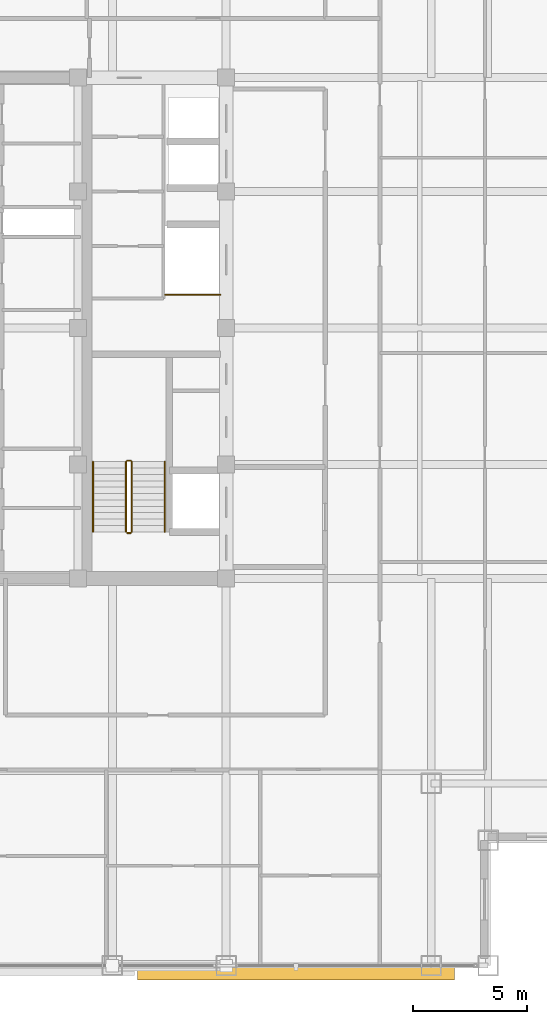
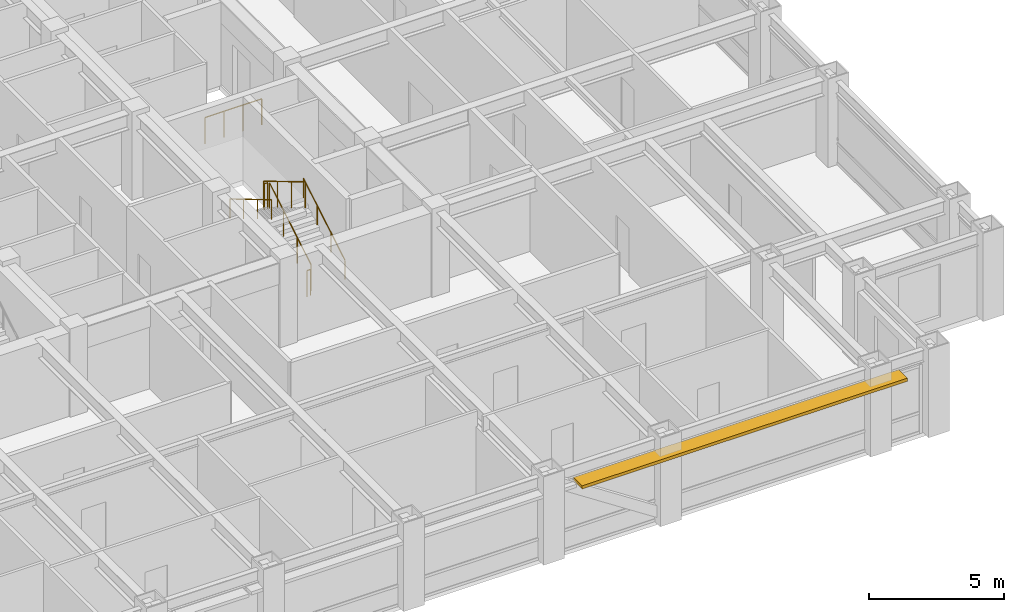
# One storey, part 25 of 27: 7 railings, 1 shading device.
"""IFC4 building model written with IfcOpenShell, lengths in metres."""

from ifc_helpers import new_model, si_unit, direction, frame, origin, origin_2d, place, context, subcontext, project, spatial, rectangle, circle, extrude, source, transform, mapped, material, layer, layer_set, type_object, element, save


model = new_model("IFC4")

# Units and contexts
model_context = context("Model", 3, precision=1e-05, world=origin(), true_north=direction((0.0, 1.0)))
body_context = subcontext(model_context, "Body", "Model", "MODEL_VIEW")
ifc_project = project(units=[si_unit("LENGTHUNIT", "METRE"), si_unit("AREAUNIT", "SQUARE_METRE"), si_unit("VOLUMEUNIT", "CUBIC_METRE"), si_unit("PLANEANGLEUNIT", "RADIAN"), si_unit("MASSUNIT", "GRAM", prefix="KILO")], contexts=[model_context])

# Site, building, storey
site_placement = place(None, origin())
site = spatial("IfcSite", under=ifc_project, at=site_placement, CompositionType="ELEMENT")
building_placement = place(site_placement, origin())
building = spatial("IfcBuilding", under=site, at=building_placement, Name="Khorayat Bourse Tower", CompositionType="ELEMENT")
storey_placement = place(building_placement, frame((0.0, 0.0, 285.5)))
storey = spatial("IfcBuildingStorey", under=building, at=storey_placement, Name="L67", CompositionType="ELEMENT", Elevation=285.5)

# Shading device
ifc_material_1 = material(Name="Precast concrete C45/55", Category="concrete")
ifc_layer = layer(ifc_material_1, 0.139892578125)
ifc_layer_set = layer_set([ifc_layer], Name="Precast concrete C45/55")
shading_device_type = type_object("IfcShadingDeviceType", Name="SHD-WAVE-TRAY-B", PredefinedType="USERDEFINED", material=ifc_layer_set)
shared_shape_1 = source(origin(), body_context, "Body", "SweptSolid", [
    extrude(rectangle(XDim=13.9267578125, YDim=0.65087890625, at=origin_2d()), origin(), (0.0, 0.0, 1.0), 0.139892578125),
])
shading_device_placement = place(storey_placement, frame((14.066650390625, -28.305419921875, 3.0302734375), z_axis=(0.0, 0.0, 1.0), x_axis=(1.0, 0.0, 0.0)))
element("IfcShadingDevice", 1, at=shading_device_placement, inside=storey, type_object=shading_device_type, Name="L67 Sinusoidal Wave Sunshade Tray S-3", ObjectType="SUNSHADE", PredefinedType="USERDEFINED", context=body_context, shape_type="MappedRepresentation", body=[
    mapped(shared_shape_1, transform((0.0, 0.0, 0.0), scale=1.0)),
])

# Railings
ifc_material_2 = material(Name="Powder-coated steel balustrade", Category="steel")
railing_type_1 = type_object("IfcRailingType", Name="RLG-GUARD-1200", PredefinedType="GUARDRAIL", material=ifc_material_2)
shared_shape_2 = source(origin(), body_context, "Body", "SweptSolid", [
    extrude(circle(Radius=0.02392578125, at=origin_2d()), frame((0.0, 0.0, 1.17578125), z_axis=(-1.0, 0.0, 0.0), x_axis=(0.0, -1.0, 0.0)), (0.0, 0.0, 1.0), 0.150146484375),
    extrude(circle(Radius=0.02099609375, at=origin_2d()), origin(), (0.0, 0.0, 1.0), 1.15185546875),
    extrude(circle(Radius=0.02099609375, at=origin_2d()), frame((-0.150146484375, 0.0, 0.0)), (0.0, 0.0, 1.0), 1.15185546875),
])
for number, where, name in (
    (2, (6.800048828125, -5.820068359375, 2.0), "L67 ST-3 stair guard 2"),
    (3, (6.800048828125, -9.0, 0.0), "L67 ST-3 stair guard 4"),
):
    element("IfcRailing", number, at=place(storey_placement, frame(where)), inside=storey, type_object=railing_type_1, Name=name, PredefinedType="GUARDRAIL", context=body_context, shape_type="MappedRepresentation", body=[
        mapped(shared_shape_2, transform((0.0, 0.0, 0.0), scale=1.0)),
    ])
shared_shape_3 = source(origin(), body_context, "Body", "SweptSolid", [
    extrude(circle(Radius=0.02392578125, at=origin_2d()), frame((0.0, 0.0, 1.17578125), z_axis=(0.0, 0.859290745958, 0.51148745235), x_axis=(-1.0, 0.0, 0.0)), (0.0, 0.0, 1.0), 3.584228515625),
    extrude(circle(Radius=0.02099609375, at=origin_2d()), origin(), (0.0, 0.0, 1.0), 1.15185546875),
    extrude(circle(Radius=0.02099609375, at=origin_2d()), frame((0.0, 1.026611328125, 0.611083984375)), (0.0, 0.0, 1.0), 1.15185546875),
    extrude(circle(Radius=0.02099609375, at=origin_2d()), frame((0.0, 2.05322265625, 1.22216796875)), (0.0, 0.0, 1.0), 1.15185546875),
    extrude(circle(Radius=0.02099609375, at=origin_2d()), frame((0.0, 3.079833984375, 1.833251953125)), (0.0, 0.0, 1.0), 1.15185546875),
])
railing_1_placement = place(storey_placement, frame((6.85009765625, -8.949951171875, 0.166748046875)))
element("IfcRailing", 4, at=railing_1_placement, inside=storey, type_object=railing_type_1, Name="L67 ST-3 stair guard 1", PredefinedType="GUARDRAIL", context=body_context, shape_type="MappedRepresentation", body=[
    mapped(shared_shape_3, transform((0.0, 0.0, 0.0), scale=1.0)),
])
shared_shape_4 = source(origin(), body_context, "Body", "SweptSolid", [
    extrude(circle(Radius=0.02392578125, at=origin_2d()), frame((0.0, 0.0, 1.17578125), z_axis=(0.0, -0.859290745958, 0.51148745235), x_axis=(1.0, 0.0, 0.0)), (0.0, 0.0, 1.0), 3.584228515625),
    extrude(circle(Radius=0.02099609375, at=origin_2d()), origin(), (0.0, 0.0, 1.0), 1.15185546875),
    extrude(circle(Radius=0.02099609375, at=origin_2d()), frame((0.0, -1.026611328125, 0.611083984375)), (0.0, 0.0, 1.0), 1.15185546875),
    extrude(circle(Radius=0.02099609375, at=origin_2d()), frame((0.0, -2.05322265625, 1.22216796875)), (0.0, 0.0, 1.0), 1.15185546875),
    extrude(circle(Radius=0.02099609375, at=origin_2d()), frame((0.0, -3.079833984375, 1.833251953125)), (0.0, 0.0, 1.0), 1.15185546875),
])
railing_2_placement = place(storey_placement, frame((6.60009765625, -5.8701171875, 2.166748046875)))
element("IfcRailing", 5, at=railing_2_placement, inside=storey, type_object=railing_type_1, Name="L67 ST-3 stair guard 3", PredefinedType="GUARDRAIL", context=body_context, shape_type="MappedRepresentation", body=[
    mapped(shared_shape_4, transform((0.0, 0.0, 0.0), scale=1.0)),
])
ifc_material_3 = material(Name="Brushed bronze stainless-steel handrail", Category="steel")
railing_type_2 = type_object("IfcRailingType", Name="RLG-HAND-900", PredefinedType="HANDRAIL", material=ifc_material_3)
shared_shape_5 = source(origin(), body_context, "Body", "SweptSolid", [
    extrude(circle(Radius=0.02392578125, at=origin_2d()), frame((0.0, 0.0, 0.8759765625), z_axis=(0.0, 0.859290745958, 0.51148745235), x_axis=(-1.0, 0.0, 0.0)), (0.0, 0.0, 1.0), 3.584228515625),
    extrude(circle(Radius=0.02099609375, at=origin_2d()), origin(), (0.0, 0.0, 1.0), 0.851806640625),
    extrude(circle(Radius=0.02099609375, at=origin_2d()), frame((0.0, 1.026611328125, 0.611083984375)), (0.0, 0.0, 1.0), 0.851806640625),
    extrude(circle(Radius=0.02099609375, at=origin_2d()), frame((0.0, 2.05322265625, 1.22216796875)), (0.0, 0.0, 1.0), 0.851806640625),
    extrude(circle(Radius=0.02099609375, at=origin_2d()), frame((0.0, 3.079833984375, 1.833251953125)), (0.0, 0.0, 1.0), 0.851806640625),
])
railing_3_placement = place(storey_placement, frame((8.300048828125, -8.949951171875, 0.166748046875)))
element("IfcRailing", 6, at=railing_3_placement, inside=storey, type_object=railing_type_2, Name="L67 ST-3 stair handrail 1", PredefinedType="HANDRAIL", context=body_context, shape_type="MappedRepresentation", body=[
    mapped(shared_shape_5, transform((0.0, 0.0, 0.0), scale=1.0)),
])
shared_shape_6 = source(origin(), body_context, "Body", "SweptSolid", [
    extrude(circle(Radius=0.02392578125, at=origin_2d()), frame((0.0, 0.0, 0.8759765625), z_axis=(0.0, -0.859290745958, 0.51148745235), x_axis=(1.0, 0.0, 0.0)), (0.0, 0.0, 1.0), 3.584228515625),
    extrude(circle(Radius=0.02099609375, at=origin_2d()), origin(), (0.0, 0.0, 1.0), 0.851806640625),
    extrude(circle(Radius=0.02099609375, at=origin_2d()), frame((0.0, -1.026611328125, 0.611083984375)), (0.0, 0.0, 1.0), 0.851806640625),
    extrude(circle(Radius=0.02099609375, at=origin_2d()), frame((0.0, -2.05322265625, 1.22216796875)), (0.0, 0.0, 1.0), 0.851806640625),
    extrude(circle(Radius=0.02099609375, at=origin_2d()), frame((0.0, -3.079833984375, 1.833251953125)), (0.0, 0.0, 1.0), 0.851806640625),
])
railing_4_placement = place(storey_placement, frame((5.14990234375, -5.8701171875, 2.166748046875)))
element("IfcRailing", 7, at=railing_4_placement, inside=storey, type_object=railing_type_2, Name="L67 ST-3 stair handrail 2", PredefinedType="HANDRAIL", context=body_context, shape_type="MappedRepresentation", body=[
    mapped(shared_shape_6, transform((0.0, 0.0, 0.0), scale=1.0)),
])
shared_shape_7 = source(origin(), body_context, "Body", "SweptSolid", [
    extrude(circle(Radius=0.02392578125, at=origin_2d()), frame((0.0, 0.0, 1.17578125), z_axis=(1.0, 0.0, 0.0), x_axis=(0.0, 1.0, 0.0)), (0.0, 0.0, 1.0), 2.429931640625),
    extrude(circle(Radius=0.02099609375, at=origin_2d()), origin(), (0.0, 0.0, 1.0), 1.15185546875),
    extrude(circle(Radius=0.02099609375, at=origin_2d()), frame((0.81005859375, 0.0, 0.0)), (0.0, 0.0, 1.0), 1.15185546875),
    extrude(circle(Radius=0.02099609375, at=origin_2d()), frame((1.619873046875, 0.0, 0.0)), (0.0, 0.0, 1.0), 1.15185546875),
    extrude(circle(Radius=0.02099609375, at=origin_2d()), frame((2.429931640625, 0.0, 0.0)), (0.0, 0.0, 1.0), 1.15185546875),
])
railing_5_placement = place(storey_placement, frame((8.320068359375, 1.4599609375, 0.0)))
element("IfcRailing", 8, at=railing_5_placement, inside=storey, type_object=railing_type_1, Name="L67 Goods Shaft Opening Guardrail", PredefinedType="GUARDRAIL", context=body_context, shape_type="MappedRepresentation", body=[
    mapped(shared_shape_7, transform((0.0, 0.0, 0.0), scale=1.0)),
])

save(model, "model.ifc")
